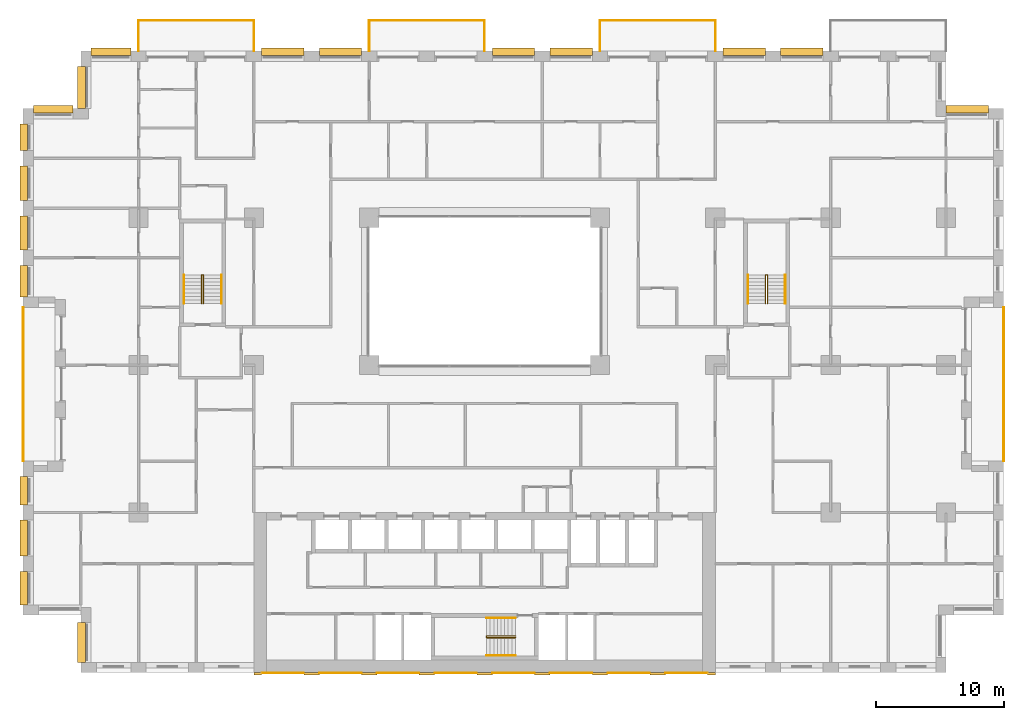
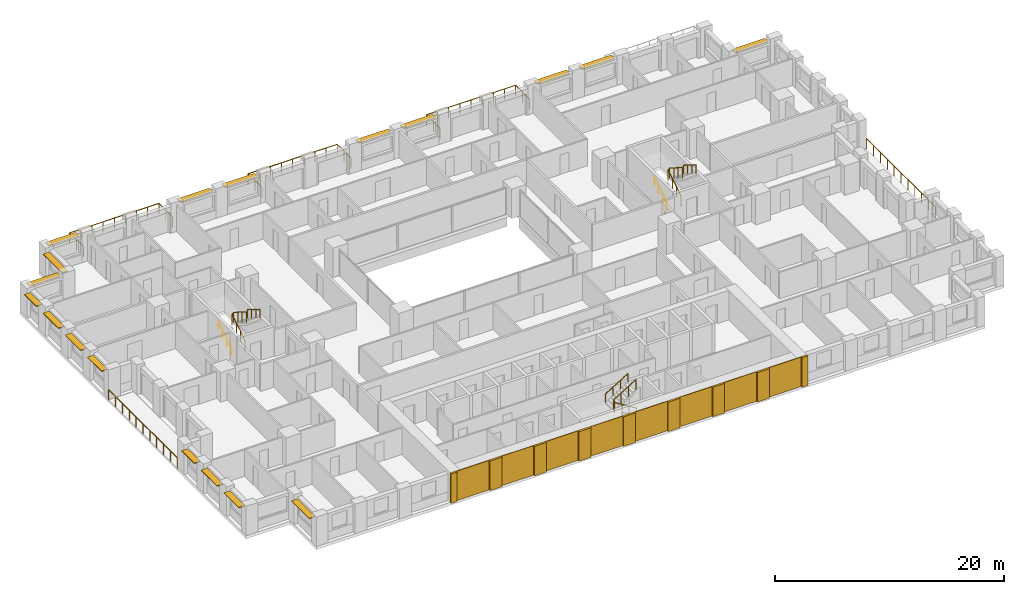
# One storey, part 18 of 19: 18 shading devices, 17 coverings, 14 railings.
"""IFC4 building model written with IfcOpenShell, lengths in metres."""

from ifc_helpers import new_model, si_unit, direction, frame, origin, origin_2d, place, context, subcontext, project, spatial, rectangle, circle, extrude, material, layer, layer_set, type_object, element, save


model = new_model("IFC4")

# Units and contexts
model_context = context("Model", 3, precision=1e-05, world=origin(), true_north=direction((0.0, 1.0)))
body_context = subcontext(model_context, "Body", "Model", "MODEL_VIEW")
ifc_project = project(units=[si_unit("LENGTHUNIT", "METRE"), si_unit("AREAUNIT", "SQUARE_METRE"), si_unit("VOLUMEUNIT", "CUBIC_METRE"), si_unit("PLANEANGLEUNIT", "RADIAN"), si_unit("MASSUNIT", "GRAM", prefix="KILO")], contexts=[model_context])

# Site, building, storey
site_placement = place(None, origin())
site = spatial("IfcSite", under=ifc_project, at=site_placement, CompositionType="ELEMENT")
building_placement = place(site_placement, origin())
building = spatial("IfcBuilding", under=site, at=building_placement, Name="Brigalow Station Residences", CompositionType="ELEMENT")
storey_placement = place(building_placement, frame((0.0, 0.0, 32.10009765625)))
storey = spatial("IfcBuildingStorey", under=building, at=storey_placement, Name="L08", CompositionType="ELEMENT", Elevation=32.10009765625)

# Railings
ifc_material_1 = material(Name="Stainless steel balustrade with laminated glass infill", Category="steel")
railing_type_1 = type_object("IfcRailingType", Name="BALCONY GUARD 1100", PredefinedType="GUARDRAIL", material=ifc_material_1)
railing_1_placement = place(storey_placement, frame((76.5, 16.5, -0.0400390625)))
element("IfcRailing", 1, at=railing_1_placement, inside=storey, type_object=railing_type_1, Name="L08/balcony-guard/1", PredefinedType="GUARDRAIL", context=body_context, shape_type="SweptSolid", body=[
    extrude(circle(Radius=0.02392578125, at=origin_2d()), frame((0.0, 0.0, 1.076171875), z_axis=(0.0, 1.0, 0.0), x_axis=(-1.0, 0.0, 0.0)), (0.0, 0.0, 1.0), 12.0),
    extrude(circle(Radius=0.02099609375, at=origin_2d()), origin(), (0.0, 0.0, 1.0), 1.052001953125),
    extrude(circle(Radius=0.02099609375, at=origin_2d()), frame((0.0, 1.199951171875, 0.0)), (0.0, 0.0, 1.0), 1.052001953125),
    extrude(circle(Radius=0.02099609375, at=origin_2d()), frame((0.0, 2.39990234375, 0.0)), (0.0, 0.0, 1.0), 1.052001953125),
    extrude(circle(Radius=0.02099609375, at=origin_2d()), frame((0.0, 3.60009765625, 0.0)), (0.0, 0.0, 1.0), 1.052001953125),
    extrude(circle(Radius=0.02099609375, at=origin_2d()), frame((0.0, 4.800048828125, 0.0)), (0.0, 0.0, 1.0), 1.052001953125),
    extrude(circle(Radius=0.02099609375, at=origin_2d()), frame((0.0, 6.0, 0.0)), (0.0, 0.0, 1.0), 1.052001953125),
    extrude(circle(Radius=0.02099609375, at=origin_2d()), frame((0.0, 7.199951171875, 0.0)), (0.0, 0.0, 1.0), 1.052001953125),
    extrude(circle(Radius=0.02099609375, at=origin_2d()), frame((0.0, 8.39990234375, 0.0)), (0.0, 0.0, 1.0), 1.052001953125),
    extrude(circle(Radius=0.02099609375, at=origin_2d()), frame((0.0, 9.60009765625, 0.0)), (0.0, 0.0, 1.0), 1.052001953125),
    extrude(circle(Radius=0.02099609375, at=origin_2d()), frame((0.0, 10.800048828125, 0.0)), (0.0, 0.0, 1.0), 1.052001953125),
    extrude(circle(Radius=0.02099609375, at=origin_2d()), frame((0.0, 12.0, 0.0)), (0.0, 0.0, 1.0), 1.052001953125),
])
railing_2_placement = place(storey_placement, frame((54.0, 48.5, -0.0400390625)))
element("IfcRailing", 2, at=railing_2_placement, inside=storey, type_object=railing_type_1, Name="L08/balcony-guard/3", PredefinedType="GUARDRAIL", context=body_context, shape_type="SweptSolid", body=[
    extrude(circle(Radius=0.02392578125, at=origin_2d()), frame((0.0, 0.0, 1.076171875), z_axis=(0.0, 1.0, 0.0), x_axis=(-1.0, 0.0, 0.0)), (0.0, 0.0, 1.0), 2.39990234375),
    extrude(circle(Radius=0.02392578125, at=origin_2d()), frame((0.0, 2.39990234375, 1.076171875), z_axis=(-1.0, 0.0, 0.0), x_axis=(0.0, -1.0, 0.0)), (0.0, 0.0, 1.0), 9.0),
    extrude(circle(Radius=0.02392578125, at=origin_2d()), frame((-9.0, 2.39990234375, 1.076171875), z_axis=(0.0, -1.0, 0.0), x_axis=(1.0, 0.0, 0.0)), (0.0, 0.0, 1.0), 2.39990234375),
    extrude(circle(Radius=0.02099609375, at=origin_2d()), origin(), (0.0, 0.0, 1.0), 1.052001953125),
    extrude(circle(Radius=0.02099609375, at=origin_2d()), frame((0.0, 1.199951171875, 0.0)), (0.0, 0.0, 1.0), 1.052001953125),
    extrude(circle(Radius=0.02099609375, at=origin_2d()), frame((0.0, 2.39990234375, 0.0)), (0.0, 0.0, 1.0), 1.052001953125),
    extrude(circle(Radius=0.02099609375, at=origin_2d()), frame((-1.125, 2.39990234375, 0.0)), (0.0, 0.0, 1.0), 1.052001953125),
    extrude(circle(Radius=0.02099609375, at=origin_2d()), frame((-2.25, 2.39990234375, 0.0)), (0.0, 0.0, 1.0), 1.052001953125),
    extrude(circle(Radius=0.02099609375, at=origin_2d()), frame((-3.375, 2.39990234375, 0.0)), (0.0, 0.0, 1.0), 1.052001953125),
    extrude(circle(Radius=0.02099609375, at=origin_2d()), frame((-4.5, 2.39990234375, 0.0)), (0.0, 0.0, 1.0), 1.052001953125),
    extrude(circle(Radius=0.02099609375, at=origin_2d()), frame((-5.625, 2.39990234375, 0.0)), (0.0, 0.0, 1.0), 1.052001953125),
    extrude(circle(Radius=0.02099609375, at=origin_2d()), frame((-6.75, 2.39990234375, 0.0)), (0.0, 0.0, 1.0), 1.052001953125),
    extrude(circle(Radius=0.02099609375, at=origin_2d()), frame((-7.875, 2.39990234375, 0.0)), (0.0, 0.0, 1.0), 1.052001953125),
    extrude(circle(Radius=0.02099609375, at=origin_2d()), frame((-9.0, 2.39990234375, 0.0)), (0.0, 0.0, 1.0), 1.052001953125),
    extrude(circle(Radius=0.02099609375, at=origin_2d()), frame((-9.0, 1.199951171875, 0.0)), (0.0, 0.0, 1.0), 1.052001953125),
    extrude(circle(Radius=0.02099609375, at=origin_2d()), frame((-9.0, 0.0, 0.0)), (0.0, 0.0, 1.0), 1.052001953125),
])
railing_3_placement = place(storey_placement, frame((36.0, 48.5, -0.0400390625)))
element("IfcRailing", 3, at=railing_3_placement, inside=storey, type_object=railing_type_1, Name="L08/balcony-guard/4", PredefinedType="GUARDRAIL", context=body_context, shape_type="SweptSolid", body=[
    extrude(circle(Radius=0.02392578125, at=origin_2d()), frame((0.0, 0.0, 1.076171875), z_axis=(0.0, 1.0, 0.0), x_axis=(-1.0, 0.0, 0.0)), (0.0, 0.0, 1.0), 2.39990234375),
    extrude(circle(Radius=0.02392578125, at=origin_2d()), frame((0.0, 2.39990234375, 1.076171875), z_axis=(-1.0, 0.0, 0.0), x_axis=(0.0, -1.0, 0.0)), (0.0, 0.0, 1.0), 9.0),
    extrude(circle(Radius=0.02392578125, at=origin_2d()), frame((-9.0, 2.39990234375, 1.076171875), z_axis=(0.0, -1.0, 0.0), x_axis=(1.0, 0.0, 0.0)), (0.0, 0.0, 1.0), 2.39990234375),
    extrude(circle(Radius=0.02099609375, at=origin_2d()), origin(), (0.0, 0.0, 1.0), 1.052001953125),
    extrude(circle(Radius=0.02099609375, at=origin_2d()), frame((0.0, 1.199951171875, 0.0)), (0.0, 0.0, 1.0), 1.052001953125),
    extrude(circle(Radius=0.02099609375, at=origin_2d()), frame((0.0, 2.39990234375, 0.0)), (0.0, 0.0, 1.0), 1.052001953125),
    extrude(circle(Radius=0.02099609375, at=origin_2d()), frame((-1.125, 2.39990234375, 0.0)), (0.0, 0.0, 1.0), 1.052001953125),
    extrude(circle(Radius=0.02099609375, at=origin_2d()), frame((-2.25, 2.39990234375, 0.0)), (0.0, 0.0, 1.0), 1.052001953125),
    extrude(circle(Radius=0.02099609375, at=origin_2d()), frame((-3.375, 2.39990234375, 0.0)), (0.0, 0.0, 1.0), 1.052001953125),
    extrude(circle(Radius=0.02099609375, at=origin_2d()), frame((-4.5, 2.39990234375, 0.0)), (0.0, 0.0, 1.0), 1.052001953125),
    extrude(circle(Radius=0.02099609375, at=origin_2d()), frame((-5.625, 2.39990234375, 0.0)), (0.0, 0.0, 1.0), 1.052001953125),
    extrude(circle(Radius=0.02099609375, at=origin_2d()), frame((-6.75, 2.39990234375, 0.0)), (0.0, 0.0, 1.0), 1.052001953125),
    extrude(circle(Radius=0.02099609375, at=origin_2d()), frame((-7.875, 2.39990234375, 0.0)), (0.0, 0.0, 1.0), 1.052001953125),
    extrude(circle(Radius=0.02099609375, at=origin_2d()), frame((-9.0, 2.39990234375, 0.0)), (0.0, 0.0, 1.0), 1.052001953125),
    extrude(circle(Radius=0.02099609375, at=origin_2d()), frame((-9.0, 1.199951171875, 0.0)), (0.0, 0.0, 1.0), 1.052001953125),
    extrude(circle(Radius=0.02099609375, at=origin_2d()), frame((-9.0, 0.0, 0.0)), (0.0, 0.0, 1.0), 1.052001953125),
])
railing_4_placement = place(storey_placement, frame((18.0, 48.5, -0.0400390625)))
element("IfcRailing", 4, at=railing_4_placement, inside=storey, type_object=railing_type_1, Name="L08/balcony-guard/5", PredefinedType="GUARDRAIL", context=body_context, shape_type="SweptSolid", body=[
    extrude(circle(Radius=0.02392578125, at=origin_2d()), frame((0.0, 0.0, 1.076171875), z_axis=(0.0, 1.0, 0.0), x_axis=(-1.0, 0.0, 0.0)), (0.0, 0.0, 1.0), 2.39990234375),
    extrude(circle(Radius=0.02392578125, at=origin_2d()), frame((0.0, 2.39990234375, 1.076171875), z_axis=(-1.0, 0.0, 0.0), x_axis=(0.0, -1.0, 0.0)), (0.0, 0.0, 1.0), 9.0),
    extrude(circle(Radius=0.02392578125, at=origin_2d()), frame((-9.0, 2.39990234375, 1.076171875), z_axis=(0.0, -1.0, 0.0), x_axis=(1.0, 0.0, 0.0)), (0.0, 0.0, 1.0), 2.39990234375),
    extrude(circle(Radius=0.02099609375, at=origin_2d()), origin(), (0.0, 0.0, 1.0), 1.052001953125),
    extrude(circle(Radius=0.02099609375, at=origin_2d()), frame((0.0, 1.199951171875, 0.0)), (0.0, 0.0, 1.0), 1.052001953125),
    extrude(circle(Radius=0.02099609375, at=origin_2d()), frame((0.0, 2.39990234375, 0.0)), (0.0, 0.0, 1.0), 1.052001953125),
    extrude(circle(Radius=0.02099609375, at=origin_2d()), frame((-1.125, 2.39990234375, 0.0)), (0.0, 0.0, 1.0), 1.052001953125),
    extrude(circle(Radius=0.02099609375, at=origin_2d()), frame((-2.25, 2.39990234375, 0.0)), (0.0, 0.0, 1.0), 1.052001953125),
    extrude(circle(Radius=0.02099609375, at=origin_2d()), frame((-3.375, 2.39990234375, 0.0)), (0.0, 0.0, 1.0), 1.052001953125),
    extrude(circle(Radius=0.02099609375, at=origin_2d()), frame((-4.5, 2.39990234375, 0.0)), (0.0, 0.0, 1.0), 1.052001953125),
    extrude(circle(Radius=0.02099609375, at=origin_2d()), frame((-5.625, 2.39990234375, 0.0)), (0.0, 0.0, 1.0), 1.052001953125),
    extrude(circle(Radius=0.02099609375, at=origin_2d()), frame((-6.75, 2.39990234375, 0.0)), (0.0, 0.0, 1.0), 1.052001953125),
    extrude(circle(Radius=0.02099609375, at=origin_2d()), frame((-7.875, 2.39990234375, 0.0)), (0.0, 0.0, 1.0), 1.052001953125),
    extrude(circle(Radius=0.02099609375, at=origin_2d()), frame((-9.0, 2.39990234375, 0.0)), (0.0, 0.0, 1.0), 1.052001953125),
    extrude(circle(Radius=0.02099609375, at=origin_2d()), frame((-9.0, 1.199951171875, 0.0)), (0.0, 0.0, 1.0), 1.052001953125),
    extrude(circle(Radius=0.02099609375, at=origin_2d()), frame((-9.0, 0.0, 0.0)), (0.0, 0.0, 1.0), 1.052001953125),
])
railing_5_placement = place(storey_placement, frame((0.0, 28.5, -0.0400390625)))
element("IfcRailing", 5, at=railing_5_placement, inside=storey, type_object=railing_type_1, Name="L08/balcony-guard/6", PredefinedType="GUARDRAIL", context=body_context, shape_type="SweptSolid", body=[
    extrude(circle(Radius=0.02392578125, at=origin_2d()), frame((0.0, 0.0, 1.076171875), z_axis=(0.0, -1.0, 0.0), x_axis=(1.0, 0.0, 0.0)), (0.0, 0.0, 1.0), 12.0),
    extrude(circle(Radius=0.02099609375, at=origin_2d()), origin(), (0.0, 0.0, 1.0), 1.052001953125),
    extrude(circle(Radius=0.02099609375, at=origin_2d()), frame((0.0, -1.199951171875, 0.0)), (0.0, 0.0, 1.0), 1.052001953125),
    extrude(circle(Radius=0.02099609375, at=origin_2d()), frame((0.0, -2.39990234375, 0.0)), (0.0, 0.0, 1.0), 1.052001953125),
    extrude(circle(Radius=0.02099609375, at=origin_2d()), frame((0.0, -3.60009765625, 0.0)), (0.0, 0.0, 1.0), 1.052001953125),
    extrude(circle(Radius=0.02099609375, at=origin_2d()), frame((0.0, -4.800048828125, 0.0)), (0.0, 0.0, 1.0), 1.052001953125),
    extrude(circle(Radius=0.02099609375, at=origin_2d()), frame((0.0, -6.0, 0.0)), (0.0, 0.0, 1.0), 1.052001953125),
    extrude(circle(Radius=0.02099609375, at=origin_2d()), frame((0.0, -7.199951171875, 0.0)), (0.0, 0.0, 1.0), 1.052001953125),
    extrude(circle(Radius=0.02099609375, at=origin_2d()), frame((0.0, -8.39990234375, 0.0)), (0.0, 0.0, 1.0), 1.052001953125),
    extrude(circle(Radius=0.02099609375, at=origin_2d()), frame((0.0, -9.60009765625, 0.0)), (0.0, 0.0, 1.0), 1.052001953125),
    extrude(circle(Radius=0.02099609375, at=origin_2d()), frame((0.0, -10.800048828125, 0.0)), (0.0, 0.0, 1.0), 1.052001953125),
    extrude(circle(Radius=0.02099609375, at=origin_2d()), frame((0.0, -12.0, 0.0)), (0.0, 0.0, 1.0), 1.052001953125),
])

# Coverings
ifc_material_2 = material(Name="Clay brick masonry", Category="masonry")
ifc_layer_1 = layer(ifc_material_2, 0.06005859375)
ifc_layer_set_1 = layer_set([ifc_layer_1], Name="BRICK PANEL FACING 60")
covering_type_1 = type_object("IfcCoveringType", Name="BRICK PANEL FACING 60", PredefinedType="CLADDING", material=ifc_layer_set_1)
for number, where, z_axis, x_axis, name in (
    (6, (20.25, -0.030029296875, 0.0), (0.0, 0.0, 1.0), (1.0, 0.0, 0.0), "L08/rear-facing/panel-1"),
    (7, (24.75, -0.030029296875, 0.0), (0.0, 0.0, 1.0), (1.0, 0.0, 0.0), "L08/rear-facing/panel-2"),
    (8, (29.25, -0.030029296875, 0.0), (0.0, 0.0, 1.0), (1.0, 0.0, 0.0), "L08/rear-facing/panel-3"),
    (9, (33.75, -0.030029296875, 0.0), (0.0, 0.0, 1.0), (1.0, 0.0, 0.0), "L08/rear-facing/panel-4"),
    (10, (38.25, -0.030029296875, 0.0), (0.0, 0.0, 1.0), (1.0, 0.0, 0.0), "L08/rear-facing/panel-5"),
    (11, (42.75, -0.030029296875, 0.0), (0.0, 0.0, 1.0), (1.0, 0.0, 0.0), "L08/rear-facing/panel-6"),
    (12, (47.25, -0.030029296875, 0.0), (0.0, 0.0, 1.0), (1.0, 0.0, 0.0), "L08/rear-facing/panel-7"),
    (13, (51.75, -0.030029296875, 0.0), (0.0, 0.0, 1.0), (1.0, 0.0, 0.0), "L08/rear-facing/panel-8"),
):
    element("IfcCovering", number, at=place(storey_placement, frame(where, z_axis=z_axis, x_axis=x_axis)), inside=storey, type_object=covering_type_1, Name=name, PredefinedType="CLADDING", context=body_context, shape_type="SweptSolid", body=[
        extrude(rectangle(XDim=3.300048828125, YDim=0.06005859375, at=origin_2d()), origin(), (0.0, 0.0, 1.0), 3.14990234375),
    ])
ifc_material_3 = material(Name="Clay brick masonry", Category="masonry")
ifc_layer_2 = layer(ifc_material_3, 0.199951171875)
ifc_layer_set_2 = layer_set([ifc_layer_2], Name="BRICK PIER FACING 200")
covering_type_2 = type_object("IfcCoveringType", Name="BRICK PIER FACING 200", PredefinedType="CLADDING", material=ifc_layer_set_2)
covering_1_placement = place(storey_placement, frame((18.300048828125, -0.10009765625, 0.0), z_axis=(0.0, 0.0, 1.0), x_axis=(1.0, 0.0, 0.0)))
element("IfcCovering", 14, at=covering_1_placement, inside=storey, type_object=covering_type_2, Name="L08/rear-facing/pier-1", PredefinedType="CLADDING", context=body_context, shape_type="SweptSolid", body=[
    extrude(rectangle(XDim=0.60009765625, YDim=0.199951171875, at=origin_2d()), origin(), (0.0, 0.0, 1.0), 3.14990234375),
])
for number, where, z_axis, x_axis, name in (
    (15, (22.5, -0.10009765625, 0.0), (0.0, 0.0, 1.0), (1.0, 0.0, 0.0), "L08/rear-facing/pier-2"),
    (16, (27.0, -0.10009765625, 0.0), (0.0, 0.0, 1.0), (1.0, 0.0, 0.0), "L08/rear-facing/pier-3"),
    (17, (31.5, -0.10009765625, 0.0), (0.0, 0.0, 1.0), (1.0, 0.0, 0.0), "L08/rear-facing/pier-4"),
    (18, (36.0, -0.10009765625, 0.0), (0.0, 0.0, 1.0), (1.0, 0.0, 0.0), "L08/rear-facing/pier-5"),
    (19, (40.5, -0.10009765625, 0.0), (0.0, 0.0, 1.0), (1.0, 0.0, 0.0), "L08/rear-facing/pier-6"),
    (20, (45.0, -0.10009765625, 0.0), (0.0, 0.0, 1.0), (1.0, 0.0, 0.0), "L08/rear-facing/pier-7"),
    (21, (49.5, -0.10009765625, 0.0), (0.0, 0.0, 1.0), (1.0, 0.0, 0.0), "L08/rear-facing/pier-8"),
):
    element("IfcCovering", number, at=place(storey_placement, frame(where, z_axis=z_axis, x_axis=x_axis)), inside=storey, type_object=covering_type_2, Name=name, PredefinedType="CLADDING", context=body_context, shape_type="SweptSolid", body=[
        extrude(rectangle(XDim=1.199951171875, YDim=0.199951171875, at=origin_2d()), origin(), (0.0, 0.0, 1.0), 3.14990234375),
    ])
covering_2_placement = place(storey_placement, frame((53.699951171875, -0.10009765625, 0.0), z_axis=(0.0, 0.0, 1.0), x_axis=(1.0, 0.0, 0.0)))
element("IfcCovering", 22, at=covering_2_placement, inside=storey, type_object=covering_type_2, Name="L08/rear-facing/pier-9", PredefinedType="CLADDING", context=body_context, shape_type="SweptSolid", body=[
    extrude(rectangle(XDim=0.60009765625, YDim=0.199951171875, at=origin_2d()), origin(), (0.0, 0.0, 1.0), 3.14990234375),
])

# Railings
ifc_material_4 = material(Name="Stainless steel balustrade", Category="steel")
railing_type_2 = type_object("IfcRailingType", Name="STAIR GUARD 1100", PredefinedType="GUARDRAIL", material=ifc_material_4)
railing_6_placement = place(storey_placement, frame((38.39990234375, 2.72998046875, 0.1748046875)))
element("IfcRailing", 23, at=railing_6_placement, inside=storey, type_object=railing_type_2, Name="GUARD GR-2", PredefinedType="GUARDRAIL", context=body_context, shape_type="SweptSolid", body=[
    extrude(circle(Radius=0.02392578125, at=origin_2d()), frame((0.0, 0.0, 1.076171875), z_axis=(-0.847972341737, 0.0, 0.530040477369), x_axis=(0.0, -1.0, 0.0)), (0.0, 0.0, 1.0), 2.6416015625),
    extrude(circle(Radius=0.02392578125, at=origin_2d()), frame((-2.239990234375, 0.0, 2.47607421875), z_axis=(0.0, 0.624960567888, 0.780656319122), x_axis=(-1.0, 0.0, 0.0)), (0.0, 0.0, 1.0), 0.22412109375),
    extrude(circle(Radius=0.02392578125, at=origin_2d()), frame((-2.239990234375, 0.14013671875, 2.6513671875), z_axis=(0.848013881152, 0.0, 0.529974015752), x_axis=(0.0, 1.0, 0.0)), (0.0, 0.0, 1.0), 2.641357421875),
    extrude(circle(Radius=0.02099609375, at=origin_2d()), origin(), (0.0, 0.0, 1.0), 1.052001953125),
    extrude(circle(Radius=0.02099609375, at=origin_2d()), frame((-0.74658203125, 0.0, 0.466796875)), (0.0, 0.0, 1.0), 1.052001953125),
    extrude(circle(Radius=0.02099609375, at=origin_2d()), frame((-1.493408203125, 0.0, 0.933349609375)), (0.0, 0.0, 1.0), 1.052001953125),
    extrude(circle(Radius=0.02099609375, at=origin_2d()), frame((-2.239990234375, 0.0, 1.400146484375)), (0.0, 0.0, 1.0), 1.052001953125),
    extrude(circle(Radius=0.02099609375, at=origin_2d()), frame((-2.239990234375, 0.14013671875, 1.5751953125)), (0.0, 0.0, 1.0), 1.052001953125),
    extrude(circle(Radius=0.02099609375, at=origin_2d()), frame((-1.493408203125, 0.14013671875, 2.041748046875)), (0.0, 0.0, 1.0), 1.052001953125),
    extrude(circle(Radius=0.02099609375, at=origin_2d()), frame((-0.74658203125, 0.14013671875, 2.508544921875)), (0.0, 0.0, 1.0), 1.052001953125),
    extrude(circle(Radius=0.02099609375, at=origin_2d()), frame((0.0, 0.14013671875, 2.97509765625)), (0.0, 0.0, 1.0), 1.052001953125),
])
for number, where, name in (
    (24, (13.929931640625, 28.800048828125, 0.1748046875), "GUARD GR-1"),
    (25, (57.929931640625, 28.800048828125, 0.1748046875), "GUARD GR-3"),
):
    element("IfcRailing", number, at=place(storey_placement, frame(where)), inside=storey, type_object=railing_type_2, Name=name, PredefinedType="GUARDRAIL", context=body_context, shape_type="SweptSolid", body=[
        extrude(circle(Radius=0.02392578125, at=origin_2d()), frame((0.0, 0.0, 1.076171875), z_axis=(0.0, 0.847972341737, 0.530040477369), x_axis=(-1.0, 0.0, 0.0)), (0.0, 0.0, 1.0), 2.6416015625),
        extrude(circle(Radius=0.02392578125, at=origin_2d()), frame((0.0, 2.239990234375, 2.47607421875), z_axis=(0.624960567888, 0.0, 0.780656319122), x_axis=(0.0, 1.0, 0.0)), (0.0, 0.0, 1.0), 0.22412109375),
        extrude(circle(Radius=0.02392578125, at=origin_2d()), frame((0.14013671875, 2.239990234375, 2.6513671875), z_axis=(0.0, -0.848013881152, 0.529974015752), x_axis=(1.0, 0.0, 0.0)), (0.0, 0.0, 1.0), 2.641357421875),
        extrude(circle(Radius=0.02099609375, at=origin_2d()), origin(), (0.0, 0.0, 1.0), 1.052001953125),
        extrude(circle(Radius=0.02099609375, at=origin_2d()), frame((0.0, 0.74658203125, 0.466796875)), (0.0, 0.0, 1.0), 1.052001953125),
        extrude(circle(Radius=0.02099609375, at=origin_2d()), frame((0.0, 1.493408203125, 0.933349609375)), (0.0, 0.0, 1.0), 1.052001953125),
        extrude(circle(Radius=0.02099609375, at=origin_2d()), frame((0.0, 2.239990234375, 1.400146484375)), (0.0, 0.0, 1.0), 1.052001953125),
        extrude(circle(Radius=0.02099609375, at=origin_2d()), frame((0.14013671875, 2.239990234375, 1.5751953125)), (0.0, 0.0, 1.0), 1.052001953125),
        extrude(circle(Radius=0.02099609375, at=origin_2d()), frame((0.14013671875, 1.493408203125, 2.041748046875)), (0.0, 0.0, 1.0), 1.052001953125),
        extrude(circle(Radius=0.02099609375, at=origin_2d()), frame((0.14013671875, 0.74658203125, 2.508544921875)), (0.0, 0.0, 1.0), 1.052001953125),
        extrude(circle(Radius=0.02099609375, at=origin_2d()), frame((0.14013671875, 0.0, 2.97509765625)), (0.0, 0.0, 1.0), 1.052001953125),
    ])
ifc_material_5 = material(Name="Stainless steel handrail", Category="steel")
railing_type_3 = type_object("IfcRailingType", Name="STAIR HANDRAIL 900", PredefinedType="HANDRAIL", material=ifc_material_5)
railing_7_placement = place(storey_placement, frame((38.39990234375, 1.340087890625, 0.1748046875)))
element("IfcRailing", 26, at=railing_7_placement, inside=storey, type_object=railing_type_3, Name="HANDRAIL HR-21", PredefinedType="HANDRAIL", context=body_context, shape_type="SweptSolid", body=[
    extrude(circle(Radius=0.02392578125, at=origin_2d()), frame((0.0, 0.0, 0.8759765625), z_axis=(-0.847972341737, 0.0, 0.530040477369), x_axis=(0.0, -1.0, 0.0)), (0.0, 0.0, 1.0), 2.6416015625),
    extrude(circle(Radius=0.02099609375, at=origin_2d()), origin(), (0.0, 0.0, 1.0), 0.851806640625),
    extrude(circle(Radius=0.02099609375, at=origin_2d()), frame((-0.74658203125, 0.0, 0.466796875)), (0.0, 0.0, 1.0), 0.851806640625),
    extrude(circle(Radius=0.02099609375, at=origin_2d()), frame((-1.493408203125, 0.0, 0.933349609375)), (0.0, 0.0, 1.0), 0.851806640625),
    extrude(circle(Radius=0.02099609375, at=origin_2d()), frame((-2.239990234375, 0.0, 1.400146484375)), (0.0, 0.0, 1.0), 0.851806640625),
])
railing_8_placement = place(storey_placement, frame((36.159912109375, 4.260009765625, 1.75)))
element("IfcRailing", 27, at=railing_8_placement, inside=storey, type_object=railing_type_3, Name="HANDRAIL HR-22", PredefinedType="HANDRAIL", context=body_context, shape_type="SweptSolid", body=[
    extrude(circle(Radius=0.02392578125, at=origin_2d()), frame((0.0, 0.0, 0.8759765625), z_axis=(0.848013881152, 0.0, 0.529974015752), x_axis=(0.0, 1.0, 0.0)), (0.0, 0.0, 1.0), 2.641357421875),
    extrude(circle(Radius=0.02099609375, at=origin_2d()), origin(), (0.0, 0.0, 1.0), 0.851806640625),
    extrude(circle(Radius=0.02099609375, at=origin_2d()), frame((0.74658203125, 0.0, 0.466552734375)), (0.0, 0.0, 1.0), 0.851806640625),
    extrude(circle(Radius=0.02099609375, at=origin_2d()), frame((1.493408203125, 0.0, 0.933349609375)), (0.0, 0.0, 1.0), 0.851806640625),
    extrude(circle(Radius=0.02099609375, at=origin_2d()), frame((2.239990234375, 0.0, 1.39990234375)), (0.0, 0.0, 1.0), 0.851806640625),
])
railing_9_placement = place(storey_placement, frame((12.5400390625, 28.800048828125, 0.1748046875)))
element("IfcRailing", 28, at=railing_9_placement, inside=storey, type_object=railing_type_3, Name="HANDRAIL HR-11", PredefinedType="HANDRAIL", context=body_context, shape_type="SweptSolid", body=[
    extrude(circle(Radius=0.02392578125, at=origin_2d()), frame((0.0, 0.0, 0.8759765625), z_axis=(0.0, 0.847972341737, 0.530040477369), x_axis=(-1.0, 0.0, 0.0)), (0.0, 0.0, 1.0), 2.6416015625),
    extrude(circle(Radius=0.02099609375, at=origin_2d()), origin(), (0.0, 0.0, 1.0), 0.851806640625),
    extrude(circle(Radius=0.02099609375, at=origin_2d()), frame((0.0, 0.74658203125, 0.466796875)), (0.0, 0.0, 1.0), 0.851806640625),
    extrude(circle(Radius=0.02099609375, at=origin_2d()), frame((0.0, 1.493408203125, 0.933349609375)), (0.0, 0.0, 1.0), 0.851806640625),
    extrude(circle(Radius=0.02099609375, at=origin_2d()), frame((0.0, 2.239990234375, 1.400146484375)), (0.0, 0.0, 1.0), 0.851806640625),
])
railing_10_placement = place(storey_placement, frame((15.4599609375, 31.0400390625, 1.75)))
element("IfcRailing", 29, at=railing_10_placement, inside=storey, type_object=railing_type_3, Name="HANDRAIL HR-12", PredefinedType="HANDRAIL", context=body_context, shape_type="SweptSolid", body=[
    extrude(circle(Radius=0.02392578125, at=origin_2d()), frame((0.0, 0.0, 0.8759765625), z_axis=(0.0, -0.848013881152, 0.529974015752), x_axis=(1.0, 0.0, 0.0)), (0.0, 0.0, 1.0), 2.641357421875),
    extrude(circle(Radius=0.02099609375, at=origin_2d()), origin(), (0.0, 0.0, 1.0), 0.851806640625),
    extrude(circle(Radius=0.02099609375, at=origin_2d()), frame((0.0, -0.74658203125, 0.466552734375)), (0.0, 0.0, 1.0), 0.851806640625),
    extrude(circle(Radius=0.02099609375, at=origin_2d()), frame((0.0, -1.493408203125, 0.933349609375)), (0.0, 0.0, 1.0), 0.851806640625),
    extrude(circle(Radius=0.02099609375, at=origin_2d()), frame((0.0, -2.239990234375, 1.39990234375)), (0.0, 0.0, 1.0), 0.851806640625),
])
railing_11_placement = place(storey_placement, frame((56.5400390625, 28.800048828125, 0.1748046875)))
element("IfcRailing", 30, at=railing_11_placement, inside=storey, type_object=railing_type_3, Name="HANDRAIL HR-31", PredefinedType="HANDRAIL", context=body_context, shape_type="SweptSolid", body=[
    extrude(circle(Radius=0.02392578125, at=origin_2d()), frame((0.0, 0.0, 0.8759765625), z_axis=(0.0, 0.847972341737, 0.530040477369), x_axis=(-1.0, 0.0, 0.0)), (0.0, 0.0, 1.0), 2.6416015625),
    extrude(circle(Radius=0.02099609375, at=origin_2d()), origin(), (0.0, 0.0, 1.0), 0.851806640625),
    extrude(circle(Radius=0.02099609375, at=origin_2d()), frame((0.0, 0.74658203125, 0.466796875)), (0.0, 0.0, 1.0), 0.851806640625),
    extrude(circle(Radius=0.02099609375, at=origin_2d()), frame((0.0, 1.493408203125, 0.933349609375)), (0.0, 0.0, 1.0), 0.851806640625),
    extrude(circle(Radius=0.02099609375, at=origin_2d()), frame((0.0, 2.239990234375, 1.400146484375)), (0.0, 0.0, 1.0), 0.851806640625),
])
railing_12_placement = place(storey_placement, frame((59.4599609375, 31.0400390625, 1.75)))
element("IfcRailing", 31, at=railing_12_placement, inside=storey, type_object=railing_type_3, Name="HANDRAIL HR-32", PredefinedType="HANDRAIL", context=body_context, shape_type="SweptSolid", body=[
    extrude(circle(Radius=0.02392578125, at=origin_2d()), frame((0.0, 0.0, 0.8759765625), z_axis=(0.0, -0.848013881152, 0.529974015752), x_axis=(1.0, 0.0, 0.0)), (0.0, 0.0, 1.0), 2.641357421875),
    extrude(circle(Radius=0.02099609375, at=origin_2d()), origin(), (0.0, 0.0, 1.0), 0.851806640625),
    extrude(circle(Radius=0.02099609375, at=origin_2d()), frame((0.0, -0.74658203125, 0.466552734375)), (0.0, 0.0, 1.0), 0.851806640625),
    extrude(circle(Radius=0.02099609375, at=origin_2d()), frame((0.0, -1.493408203125, 0.933349609375)), (0.0, 0.0, 1.0), 0.851806640625),
    extrude(circle(Radius=0.02099609375, at=origin_2d()), frame((0.0, -2.239990234375, 1.39990234375)), (0.0, 0.0, 1.0), 0.851806640625),
])

# Shading devices
ifc_material_6 = material(Name="Powder-coated extruded aluminium blade", Category="aluminium")
ifc_layer_3 = layer(ifc_material_6, 0.080078125)
ifc_layer_set_3 = layer_set([ifc_layer_3], Name="SUNSHADE BLADE 600x80")
shading_device_type = type_object("IfcShadingDeviceType", Name="SUNSHADE BLADE 600x80", PredefinedType="JALOUSIE", material=ifc_layer_set_3)
for number, where, z_axis, x_axis, name in (
    (32, (73.64990234375, 43.949951171875, 2.5498046875), (0.0, 0.0, 1.0), (-1.0, 0.0, 0.0), "L08/blade/W-L08-23"),
    (33, (60.75, 48.449951171875, 2.5498046875), (0.0, 0.0, 1.0), (-1.0, 0.0, 0.0), "L08/blade/W-L08-27"),
    (34, (56.25, 48.449951171875, 2.5498046875), (0.0, 0.0, 1.0), (-1.0, 0.0, 0.0), "L08/blade/W-L08-28"),
    (35, (42.75, 48.449951171875, 2.5498046875), (0.0, 0.0, 1.0), (-1.0, 0.0, 0.0), "L08/blade/W-L08-31"),
    (36, (38.25, 48.449951171875, 2.5498046875), (0.0, 0.0, 1.0), (-1.0, 0.0, 0.0), "L08/blade/W-L08-32"),
    (37, (24.75, 48.449951171875, 2.5498046875), (0.0, 0.0, 1.0), (-1.0, 0.0, 0.0), "L08/blade/W-L08-35"),
    (38, (20.25, 48.449951171875, 2.5498046875), (0.0, 0.0, 1.0), (-1.0, 0.0, 0.0), "L08/blade/W-L08-36"),
):
    element("IfcShadingDevice", number, at=place(storey_placement, frame(where, z_axis=z_axis, x_axis=x_axis)), inside=storey, type_object=shading_device_type, Name=name, PredefinedType="JALOUSIE", context=body_context, shape_type="SweptSolid", body=[
        extrude(rectangle(XDim=3.300048828125, YDim=0.60009765625, at=origin_2d()), origin(), (0.0, 0.0, 1.0), 0.080078125),
    ])
shading_device_1_placement = place(storey_placement, frame((6.85009765625, 48.449951171875, 2.5498046875), z_axis=(0.0, 0.0, 1.0), x_axis=(-1.0, 0.0, 0.0)))
element("IfcShadingDevice", 39, at=shading_device_1_placement, inside=storey, type_object=shading_device_type, Name="L08/blade/W-L08-39", PredefinedType="JALOUSIE", context=body_context, shape_type="SweptSolid", body=[
    extrude(rectangle(XDim=3.10009765625, YDim=0.60009765625, at=origin_2d()), origin(), (0.0, 0.0, 1.0), 0.080078125),
])
shading_device_2_placement = place(storey_placement, frame((4.550048828125, 45.64990234375, 2.5498046875), z_axis=(0.0, 0.0, 1.0), x_axis=(0.0, -1.0, 0.0)))
element("IfcShadingDevice", 40, at=shading_device_2_placement, inside=storey, type_object=shading_device_type, Name="L08/blade/W-L08-40", PredefinedType="JALOUSIE", context=body_context, shape_type="SweptSolid", body=[
    extrude(rectangle(XDim=3.300048828125, YDim=0.60009765625, at=origin_2d()), origin(), (0.0, 0.0, 1.0), 0.080078125),
])
shading_device_3_placement = place(storey_placement, frame((2.35009765625, 43.949951171875, 2.5498046875), z_axis=(0.0, 0.0, 1.0), x_axis=(-1.0, 0.0, 0.0)))
element("IfcShadingDevice", 41, at=shading_device_3_placement, inside=storey, type_object=shading_device_type, Name="L08/blade/W-L08-41", PredefinedType="JALOUSIE", context=body_context, shape_type="SweptSolid", body=[
    extrude(rectangle(XDim=3.10009765625, YDim=0.60009765625, at=origin_2d()), origin(), (0.0, 0.0, 1.0), 0.080078125),
])
shading_device_4_placement = place(storey_placement, frame((0.050048828125, 41.762451171875, 2.5498046875), z_axis=(0.0, 0.0, 1.0), x_axis=(0.0, -1.0, 0.0)))
element("IfcShadingDevice", 42, at=shading_device_4_placement, inside=storey, type_object=shading_device_type, Name="L08/blade/W-L08-42", PredefinedType="JALOUSIE", context=body_context, shape_type="SweptSolid", body=[
    extrude(rectangle(XDim=2.074951171875, YDim=0.60009765625, at=origin_2d()), origin(), (0.0, 0.0, 1.0), 0.080078125),
])
for number, where, z_axis, x_axis, name in (
    (43, (0.050048828125, 38.1875, 2.5498046875), (0.0, 0.0, 1.0), (0.0, -1.0, 0.0), "L08/blade/W-L08-43"),
    (44, (0.050048828125, 34.3125, 2.5498046875), (0.0, 0.0, 1.0), (0.0, -1.0, 0.0), "L08/blade/W-L08-44"),
):
    element("IfcShadingDevice", number, at=place(storey_placement, frame(where, z_axis=z_axis, x_axis=x_axis)), inside=storey, type_object=shading_device_type, Name=name, PredefinedType="JALOUSIE", context=body_context, shape_type="SweptSolid", body=[
        extrude(rectangle(XDim=2.675048828125, YDim=0.60009765625, at=origin_2d()), origin(), (0.0, 0.0, 1.0), 0.080078125),
    ])
shading_device_5_placement = place(storey_placement, frame((0.050048828125, 30.53759765625, 2.5498046875), z_axis=(0.0, 0.0, 1.0), x_axis=(0.0, -1.0, 0.0)))
element("IfcShadingDevice", 45, at=shading_device_5_placement, inside=storey, type_object=shading_device_type, Name="L08/blade/W-L08-45", PredefinedType="JALOUSIE", context=body_context, shape_type="SweptSolid", body=[
    extrude(rectangle(XDim=2.47509765625, YDim=0.60009765625, at=origin_2d()), origin(), (0.0, 0.0, 1.0), 0.080078125),
])
shading_device_6_placement = place(storey_placement, frame((0.050048828125, 14.199951171875, 2.5498046875), z_axis=(0.0, 0.0, 1.0), x_axis=(0.0, -1.0, 0.0)))
element("IfcShadingDevice", 46, at=shading_device_6_placement, inside=storey, type_object=shading_device_type, Name="L08/blade/W-L08-51", PredefinedType="JALOUSIE", context=body_context, shape_type="SweptSolid", body=[
    extrude(rectangle(XDim=2.199951171875, YDim=0.60009765625, at=origin_2d()), origin(), (0.0, 0.0, 1.0), 0.080078125),
])
shading_device_7_placement = place(storey_placement, frame((0.050048828125, 10.5, 2.5498046875), z_axis=(0.0, 0.0, 1.0), x_axis=(0.0, -1.0, 0.0)))
element("IfcShadingDevice", 47, at=shading_device_7_placement, inside=storey, type_object=shading_device_type, Name="L08/blade/W-L08-52", PredefinedType="JALOUSIE", context=body_context, shape_type="SweptSolid", body=[
    extrude(rectangle(XDim=2.800048828125, YDim=0.60009765625, at=origin_2d()), origin(), (0.0, 0.0, 1.0), 0.080078125),
])
shading_device_8_placement = place(storey_placement, frame((0.050048828125, 6.60009765625, 2.5498046875), z_axis=(0.0, 0.0, 1.0), x_axis=(0.0, -1.0, 0.0)))
element("IfcShadingDevice", 48, at=shading_device_8_placement, inside=storey, type_object=shading_device_type, Name="L08/blade/W-L08-53", PredefinedType="JALOUSIE", context=body_context, shape_type="SweptSolid", body=[
    extrude(rectangle(XDim=2.60009765625, YDim=0.60009765625, at=origin_2d()), origin(), (0.0, 0.0, 1.0), 0.080078125),
])
shading_device_9_placement = place(storey_placement, frame((4.550048828125, 2.35009765625, 2.5498046875), z_axis=(0.0, 0.0, 1.0), x_axis=(0.0, -1.0, 0.0)))
element("IfcShadingDevice", 49, at=shading_device_9_placement, inside=storey, type_object=shading_device_type, Name="L08/blade/W-L08-55", PredefinedType="JALOUSIE", context=body_context, shape_type="SweptSolid", body=[
    extrude(rectangle(XDim=3.10009765625, YDim=0.60009765625, at=origin_2d()), origin(), (0.0, 0.0, 1.0), 0.080078125),
])

save(model, "model.ifc")
